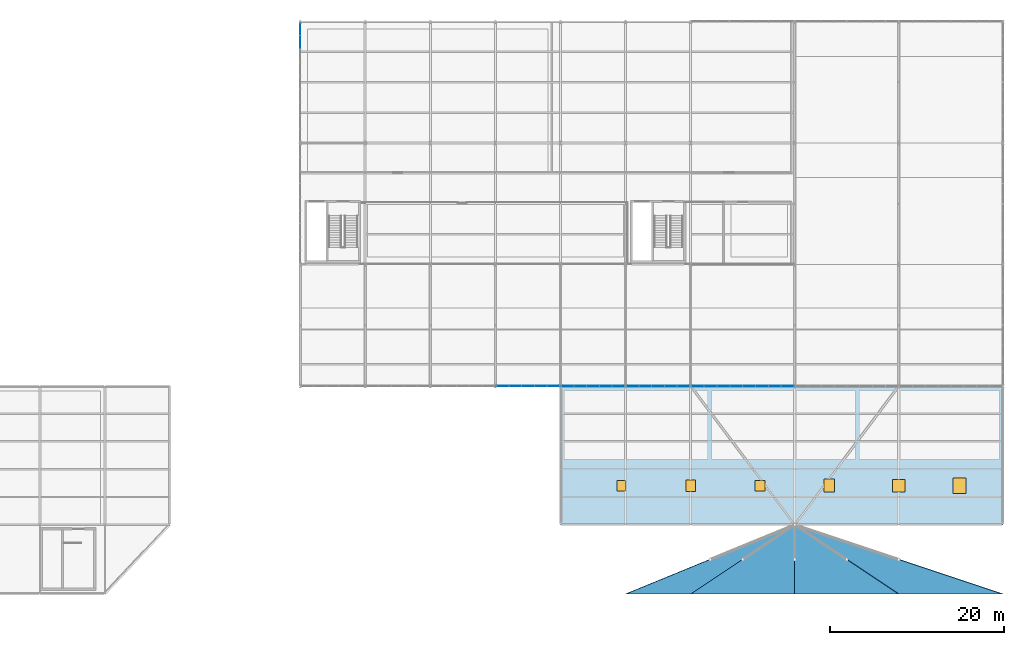
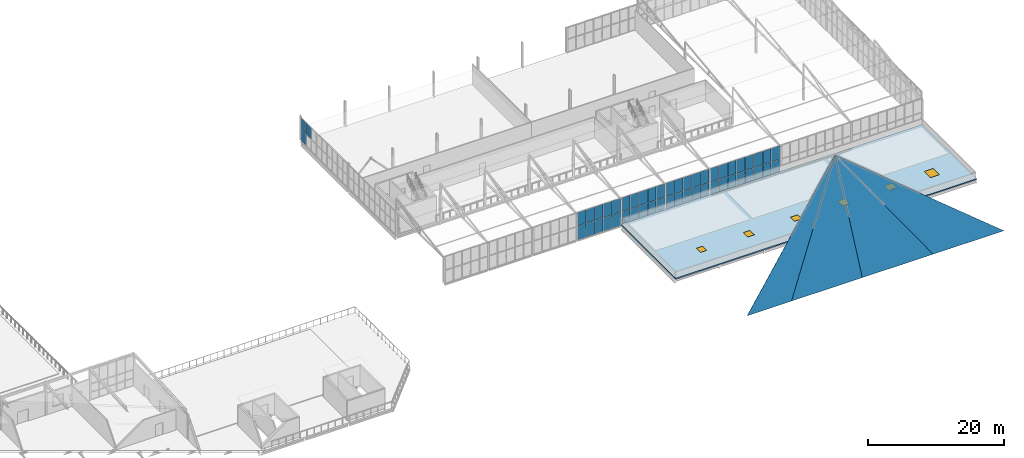
# One storey, part 88 of 104: 53 plates, 6 windows, 1 slab, 6 openings, 5 elements without a shape of their own.
"""IFC4 building model written with IfcOpenShell, lengths in metres."""

import ifcopenshell
import ifcopenshell.guid

model = None  # the IFC model being written
_history = None  # IfcOwnerHistory: only IFC2X3 demands one
_inside = {}  # id of a spatial element -> (the spatial element, [elements in it])
_under = {}  # id of a project, library or spatial element -> (it, [spatial elements below it])
_declared = {}  # id of a project -> (the project, [libraries it declares])
_typed = {}  # id of a type object -> (the type object, [elements of that type])
_made_of = {}  # id of a material, layer set ... -> (it, [elements and type objects made of it])


def new_model(schema):
    """Start an empty IFC model of exactly this schema.

    Asked for "IFC4X3", IfcOpenShell would pick the latest addendum, in which some entities
    have other attributes; the version numbers below select the first issue.
    IFC2X3 requires an IfcOwnerHistory on every rooted entity: one is made here for all.
    """
    global model, _history
    if schema == "IFC4X3":
        model = ifcopenshell.file(schema_version=(4, 3, 0, 0))
    else:
        model = ifcopenshell.file(schema=schema)
    _inside.clear()
    _under.clear()
    _declared.clear()
    _typed.clear()
    _made_of.clear()
    _history = None
    if model.schema == "IFC2X3":
        org = make("IfcOrganization", Name="unknown")
        user = make(
            "IfcPersonAndOrganization",
            ThePerson=make("IfcPerson", FamilyName="unknown"),
            TheOrganization=org,
        )
        app = make(
            "IfcApplication",
            ApplicationDeveloper=org,
            Version="unknown",
            ApplicationFullName="unknown",
            ApplicationIdentifier="unknown",
        )
        _history = make(
            "IfcOwnerHistory",
            OwningUser=user,
            OwningApplication=app,
            ChangeAction="ADDED",
            CreationDate=0,
        )
    return model


def make(cls, **values):
    """One entity of the class cls with the attributes given. An attribute that is None is left unset."""
    return model.create_entity(
        cls, **{name: value for name, value in values.items() if value is not None}
    )


def rooted(cls, **values):
    """An entity with a GlobalId (a new one), such as an element, a storey or a relation."""
    return make(cls, GlobalId=ifcopenshell.guid.new(), OwnerHistory=_history, **values)


def si_unit(unit_type, name, prefix=None):
    """IfcSIUnit, for example si_unit("LENGTHUNIT", "METRE", prefix="MILLI")."""
    return make("IfcSIUnit", UnitType=unit_type, Prefix=prefix, Name=name)


def assignment(units):
    """IfcUnitAssignment: the units of a project."""
    return None if units is None else make("IfcUnitAssignment", Units=units)


def point(xyz):
    """IfcCartesianPoint."""
    return None if xyz is None else make("IfcCartesianPoint", Coordinates=xyz)


def direction(xyz):
    """IfcDirection."""
    return None if xyz is None else make("IfcDirection", DirectionRatios=xyz)


def frame(location, z_axis=None, x_axis=None):
    """IfcAxis2Placement3D, a coordinate frame: its origin and axes. An axis left out is left unset."""
    return make(
        "IfcAxis2Placement3D",
        Location=point(location),
        Axis=direction(z_axis),
        RefDirection=direction(x_axis),
    )


def frame_2d(location, x_axis=None):
    """IfcAxis2Placement2D, a coordinate frame in the plane: its origin and x axis."""
    return make(
        "IfcAxis2Placement2D", Location=point(location), RefDirection=direction(x_axis)
    )


def origin():
    """The frame at (0, 0, 0) with its axes left unset."""
    return frame((0.0, 0.0, 0.0))


def origin_2d():
    """The frame at (0, 0) in the plane with its x axis left unset."""
    return frame_2d((0.0, 0.0))


def place(relative_to, where):
    """IfcLocalPlacement: puts the frame where relative to a parent placement (None: the world)."""
    return make(
        "IfcLocalPlacement", PlacementRelTo=relative_to, RelativePlacement=where
    )


def context(
    kind, dimensions, precision=None, world=None, true_north=None, identifier=None
):
    """IfcGeometricRepresentationContext, for example the 3D "Model" context."""
    return make(
        "IfcGeometricRepresentationContext",
        ContextIdentifier=identifier,
        ContextType=kind,
        CoordinateSpaceDimension=dimensions,
        Precision=precision,
        WorldCoordinateSystem=world,
        TrueNorth=true_north,
    )


def subcontext(parent, identifier, kind, view, scale=None):
    """IfcGeometricRepresentationSubContext, for example "Body" below "Model"."""
    return make(
        "IfcGeometricRepresentationSubContext",
        ContextIdentifier=identifier,
        ContextType=kind,
        ParentContext=parent,
        TargetScale=scale,
        TargetView=view,
    )


def project(units=None, contexts=None):
    """IfcProject with its units and contexts."""
    return rooted(
        "IfcProject",
        Name="project",
        RepresentationContexts=contexts,
        UnitsInContext=assignment(units),
    )


def spatial(cls, under=None, at=None, **own):
    """A site, building, storey or space (cls), placed at a placement, below another one or the project."""
    s = rooted(cls, ObjectPlacement=at, **own)
    if under is not None:
        _under.setdefault(under.id(), (under, []))[1].append(s)
    return s


def polyline(points):
    """IfcPolyline through the points."""
    return make("IfcPolyline", Points=[point(p) for p in points])


def profile(cls, at=None, kind="AREA", **sizes):
    """A parametric profile (cls). Its sizes go by their IFC names, for example OverallWidth=200.0."""
    return make(cls, ProfileType=kind, Position=at, **sizes)


def rectangle(**sizes):
    """IfcRectangleProfileDef."""
    return profile("IfcRectangleProfileDef", **sizes)


def outline(outer, holes=None, kind="AREA"):
    """IfcArbitraryClosedProfileDef: a profile drawn as a closed curve; with holes, ...WithVoids."""
    if holes is None:
        return make("IfcArbitraryClosedProfileDef", ProfileType=kind, OuterCurve=outer)
    return make(
        "IfcArbitraryProfileDefWithVoids",
        ProfileType=kind,
        OuterCurve=outer,
        InnerCurves=holes,
    )


def extrude(swept, where, along, depth):
    """IfcExtrudedAreaSolid: the profile swept, set in the frame where, extruded along a direction by depth."""
    return make(
        "IfcExtrudedAreaSolid",
        SweptArea=swept,
        Position=where,
        ExtrudedDirection=direction(along),
        Depth=depth,
    )


def shape(context_of_items, identifier, shape_type, items):
    """IfcShapeRepresentation: the items that make up one representation, for example the "Body"."""
    return make(
        "IfcShapeRepresentation",
        ContextOfItems=context_of_items,
        RepresentationIdentifier=identifier,
        RepresentationType=shape_type,
        Items=items,
    )


def material(Name=None, Category=None):
    """IfcMaterial."""
    return make("IfcMaterial", Name=Name, Category=Category)


def layer(
    of_material, thickness, ventilated=None, Name=None, Category=None, Priority=None
):
    """IfcMaterialLayer: one layer of a wall or slab, of a material (None: an air gap)."""
    return make(
        "IfcMaterialLayer",
        Material=of_material,
        LayerThickness=thickness,
        IsVentilated=ventilated,
        Name=Name,
        Category=Category,
        Priority=Priority,
    )


def layer_set(layers, Name=None):
    """IfcMaterialLayerSet."""
    return make("IfcMaterialLayerSet", MaterialLayers=layers, LayerSetName=Name)


def made_of(thing, what):
    """Note that an element or type object is made of a material, layer set ...; save() writes the relation."""
    if what is not None:
        _made_of.setdefault(what.id(), (what, []))[1].append(thing)
    return thing


def type_object(cls, material=None, **own):
    """A type object (cls), such as IfcWallType, which elements share."""
    return made_of(rooted(cls, **own), material)


def element(
    cls,
    number,
    at=None,
    inside=None,
    cuts=None,
    type_object=None,
    material=None,
    context=None,
    identifier="Body",
    shape_type=None,
    held_by="IfcProductDefinitionShape",
    body=None,
    shapes=None,
    **own,
):
    """One element of the class cls, such as IfcWall. Its Tag is "e" and its number.

    at: its placement. inside: the storey or other place that contains it. cuts: it is an
    opening in that element (IfcRelVoidsElement). A single representation is given by context,
    identifier, shape_type and body (its items); several are given by shapes. held_by: the class
    of the entity that holds the representations. save() writes the other relations.
    """
    e = rooted(cls, Tag="e%d" % number, ObjectPlacement=at, **own)
    if body is not None:
        shapes = [shape(context, identifier, shape_type, body)]
    if shapes is not None:
        e.Representation = make(held_by, Representations=shapes)
    if inside is not None:
        _inside.setdefault(inside.id(), (inside, []))[1].append(e)
    if cuts is not None:
        rooted(
            "IfcRelVoidsElement", RelatingBuildingElement=cuts, RelatedOpeningElement=e
        )
    if type_object is not None:
        _typed.setdefault(type_object.id(), (type_object, []))[1].append(e)
    return made_of(e, material)


def fill(opening, filler):
    """IfcRelFillsElement: the door or window that sits in an opening."""
    return rooted(
        "IfcRelFillsElement",
        RelatingOpeningElement=opening,
        RelatedBuildingElement=filler,
    )


def aggregate(whole, parts):
    """IfcRelAggregates: a whole, such as a stair, and the parts it consists of."""
    return rooted("IfcRelAggregates", RelatingObject=whole, RelatedObjects=parts)


def save(model, path):
    """Write the relations noted so far, then the file.

    IfcRelAggregates (storeys below a building ...), IfcRelContainedInSpatialStructure (elements
    in a storey), IfcRelDefinesByType, IfcRelAssociatesMaterial and IfcRelDeclares: one each for
    every whole, place, type object, material and project.
    """
    for whole, parts in _under.values():
        aggregate(whole, parts)
    for where, things in _inside.values():
        rooted(
            "IfcRelContainedInSpatialStructure",
            RelatedElements=things,
            RelatingStructure=where,
        )
    for kind, things in _typed.values():
        rooted("IfcRelDefinesByType", RelatedObjects=things, RelatingType=kind)
    for what, things in _made_of.values():
        rooted("IfcRelAssociatesMaterial", RelatedObjects=things, RelatingMaterial=what)
    for by, libraries in _declared.values():
        rooted("IfcRelDeclares", RelatingContext=by, RelatedDefinitions=libraries)
    model.write(path)


model = new_model("IFC4")

# Units and contexts
model_context = context("Model", 3, precision=1e-05, world=origin(), true_north=direction((0.0, 1.0)))
body_context = subcontext(model_context, "Body", "Model", "MODEL_VIEW")
ifc_project = project(units=[si_unit("LENGTHUNIT", "METRE"), si_unit("AREAUNIT", "SQUARE_METRE"), si_unit("VOLUMEUNIT", "CUBIC_METRE"), si_unit("PLANEANGLEUNIT", "RADIAN"), si_unit("MASSUNIT", "GRAM", prefix="KILO")], contexts=[model_context])

# Site, building, storey
site_placement = place(None, origin())
site = spatial("IfcSite", under=ifc_project, at=site_placement, CompositionType="ELEMENT")
building_placement = place(site_placement, origin())
building = spatial("IfcBuilding", under=site, at=building_placement, Name="Solvenia Promenade Tram Depot", CompositionType="ELEMENT")
storey_placement = place(building_placement, frame((0.0, 0.0, 9.0)))
storey = spatial("IfcBuildingStorey", under=building, at=storey_placement, Name="L02", CompositionType="ELEMENT", Elevation=9.0)

# Curtain wall, plates
ifc_material_1 = material(Name="Anodized aluminium AW-6063 T6", Category="aluminium")
ifc_layer_1 = layer(ifc_material_1, 0.080078125, Name="Anodized aluminium AW-6063 T6", Category="aluminium")
ifc_layer_set_1 = layer_set([ifc_layer_1], Name="Anodized aluminium AW-6063 T6")
curtain_wall_type_1 = type_object("IfcCurtainWallType", Name="CW-Clerest-1500", PredefinedType="NOTDEFINED", material=ifc_layer_set_1)
curtain_wall_1_placement = place(storey_placement, origin())
curtain_wall_1 = element("IfcCurtainWall", 1, at=curtain_wall_1_placement, inside=storey, type_object=curtain_wall_type_1, Name="Curtain Wall CW-V2S-L2-04", PredefinedType="NOTDEFINED")
ifc_material_2 = material(Name="Double low-e argon insulated glass", Category="glass")
ifc_layer_2 = layer(ifc_material_2, 0.031982421875, Name="Double low-e argon insulated glass", Category="glass")
ifc_layer_set_2 = layer_set([ifc_layer_2], Name="Double low-e argon insulated glass")
plate_type_1 = type_object("IfcPlateType", Name="CWP-Panel-2", PredefinedType="CURTAIN_PANEL", material=ifc_layer_set_2)
plate_1_placement = place(storey_placement, frame((128.32763671875, 24.0, -0.244873046875), z_axis=(0.0, 0.0, 1.0), x_axis=(1.0, 0.0, 0.0)))
plate_1 = element("IfcPlate", 2, at=plate_1_placement, type_object=plate_type_1, Name="CW-4 panel 1.1", PredefinedType="CURTAIN_PANEL", context=body_context, shape_type="SweptSolid", body=[
    extrude(rectangle(XDim=1.385498046875, YDim=0.031982421875, at=origin_2d()), origin(), (0.0, 0.0, 1.0), 2.41748046875),
])
plate_2_placement = place(storey_placement, frame((128.32763671875, 24.0, 2.2275390625), z_axis=(0.0, 0.0, 1.0), x_axis=(1.0, 0.0, 0.0)))
plate_2 = element("IfcPlate", 3, at=plate_2_placement, type_object=plate_type_1, Name="CW-4 panel 1.2", PredefinedType="CURTAIN_PANEL", context=body_context, shape_type="SweptSolid", body=[
    extrude(rectangle(XDim=1.385498046875, YDim=0.031982421875, at=origin_2d()), origin(), (0.0, 0.0, 1.0), 2.41748046875),
])
plate_3_placement = place(storey_placement, frame((129.781982421875, 24.0, -0.244873046875), z_axis=(0.0, 0.0, 1.0), x_axis=(1.0, 0.0, 0.0)))
plate_3 = element("IfcPlate", 4, at=plate_3_placement, type_object=plate_type_1, Name="CW-4 panel 2.1", PredefinedType="CURTAIN_PANEL", context=body_context, shape_type="SweptSolid", body=[
    extrude(rectangle(XDim=1.4130859375, YDim=0.031982421875, at=origin_2d()), origin(), (0.0, 0.0, 1.0), 2.41748046875),
])
plate_4_placement = place(storey_placement, frame((129.781982421875, 24.0, 2.2275390625), z_axis=(0.0, 0.0, 1.0), x_axis=(1.0, 0.0, 0.0)))
plate_4 = element("IfcPlate", 5, at=plate_4_placement, type_object=plate_type_1, Name="CW-4 panel 2.2", PredefinedType="CURTAIN_PANEL", context=body_context, shape_type="SweptSolid", body=[
    extrude(rectangle(XDim=1.4130859375, YDim=0.031982421875, at=origin_2d()), origin(), (0.0, 0.0, 1.0), 2.41748046875),
])
plate_5_placement = place(storey_placement, frame((131.25, 24.0, -0.244873046875), z_axis=(0.0, 0.0, 1.0), x_axis=(1.0, 0.0, 0.0)))
plate_5 = element("IfcPlate", 6, at=plate_5_placement, type_object=plate_type_1, Name="CW-4 panel 3.1", PredefinedType="CURTAIN_PANEL", context=body_context, shape_type="SweptSolid", body=[
    extrude(rectangle(XDim=1.4130859375, YDim=0.031982421875, at=origin_2d()), origin(), (0.0, 0.0, 1.0), 2.41748046875),
])
plate_6_placement = place(storey_placement, frame((131.25, 24.0, 2.2275390625), z_axis=(0.0, 0.0, 1.0), x_axis=(1.0, 0.0, 0.0)))
plate_6 = element("IfcPlate", 7, at=plate_6_placement, type_object=plate_type_1, Name="CW-4 panel 3.2", PredefinedType="CURTAIN_PANEL", context=body_context, shape_type="SweptSolid", body=[
    extrude(rectangle(XDim=1.4130859375, YDim=0.031982421875, at=origin_2d()), origin(), (0.0, 0.0, 1.0), 2.41748046875),
])
plate_7_placement = place(storey_placement, frame((132.718017578125, 24.0, -0.244873046875), z_axis=(0.0, 0.0, 1.0), x_axis=(1.0, 0.0, 0.0)))
plate_7 = element("IfcPlate", 8, at=plate_7_placement, type_object=plate_type_1, Name="CW-4 panel 4.1", PredefinedType="CURTAIN_PANEL", context=body_context, shape_type="SweptSolid", body=[
    extrude(rectangle(XDim=1.4130859375, YDim=0.031982421875, at=origin_2d()), origin(), (0.0, 0.0, 1.0), 2.41748046875),
])
plate_8_placement = place(storey_placement, frame((132.718017578125, 24.0, 2.2275390625), z_axis=(0.0, 0.0, 1.0), x_axis=(1.0, 0.0, 0.0)))
plate_8 = element("IfcPlate", 9, at=plate_8_placement, type_object=plate_type_1, Name="CW-4 panel 4.2", PredefinedType="CURTAIN_PANEL", context=body_context, shape_type="SweptSolid", body=[
    extrude(rectangle(XDim=1.4130859375, YDim=0.031982421875, at=origin_2d()), origin(), (0.0, 0.0, 1.0), 2.41748046875),
])
plate_9_placement = place(storey_placement, frame((134.17236328125, 24.0, -0.244873046875), z_axis=(0.0, 0.0, 1.0), x_axis=(1.0, 0.0, 0.0)))
plate_9 = element("IfcPlate", 10, at=plate_9_placement, type_object=plate_type_1, Name="CW-4 panel 5.1", PredefinedType="CURTAIN_PANEL", context=body_context, shape_type="SweptSolid", body=[
    extrude(rectangle(XDim=1.385498046875, YDim=0.031982421875, at=origin_2d()), origin(), (0.0, 0.0, 1.0), 2.41748046875),
])
plate_10_placement = place(storey_placement, frame((134.17236328125, 24.0, 2.2275390625), z_axis=(0.0, 0.0, 1.0), x_axis=(1.0, 0.0, 0.0)))
plate_10 = element("IfcPlate", 11, at=plate_10_placement, type_object=plate_type_1, Name="CW-4 panel 5.2", PredefinedType="CURTAIN_PANEL", context=body_context, shape_type="SweptSolid", body=[
    extrude(rectangle(XDim=1.385498046875, YDim=0.031982421875, at=origin_2d()), origin(), (0.0, 0.0, 1.0), 2.41748046875),
])
aggregate(curtain_wall_1, [plate_1, plate_2, plate_3, plate_4, plate_5, plate_6, plate_7, plate_8, plate_9, plate_10])

curtain_wall_2_placement = place(storey_placement, origin())
curtain_wall_2 = element("IfcCurtainWall", 12, at=curtain_wall_2_placement, inside=storey, type_object=curtain_wall_type_1, Name="Curtain Wall CW-V2S-L2-05", PredefinedType="NOTDEFINED")
plate_11_placement = place(storey_placement, frame((135.82763671875, 24.0, -0.244873046875), z_axis=(0.0, 0.0, 1.0), x_axis=(1.0, 0.0, 0.0)))
plate_11 = element("IfcPlate", 13, at=plate_11_placement, type_object=plate_type_1, Name="CW-4 panel 1.1", PredefinedType="CURTAIN_PANEL", context=body_context, shape_type="SweptSolid", body=[
    extrude(rectangle(XDim=1.385498046875, YDim=0.031982421875, at=origin_2d()), origin(), (0.0, 0.0, 1.0), 2.41748046875),
])
plate_12_placement = place(storey_placement, frame((135.82763671875, 24.0, 2.2275390625), z_axis=(0.0, 0.0, 1.0), x_axis=(1.0, 0.0, 0.0)))
plate_12 = element("IfcPlate", 14, at=plate_12_placement, type_object=plate_type_1, Name="CW-4 panel 1.2", PredefinedType="CURTAIN_PANEL", context=body_context, shape_type="SweptSolid", body=[
    extrude(rectangle(XDim=1.385498046875, YDim=0.031982421875, at=origin_2d()), origin(), (0.0, 0.0, 1.0), 2.41748046875),
])
plate_13_placement = place(storey_placement, frame((137.281982421875, 24.0, -0.244873046875), z_axis=(0.0, 0.0, 1.0), x_axis=(1.0, 0.0, 0.0)))
plate_13 = element("IfcPlate", 15, at=plate_13_placement, type_object=plate_type_1, Name="CW-4 panel 2.1", PredefinedType="CURTAIN_PANEL", context=body_context, shape_type="SweptSolid", body=[
    extrude(rectangle(XDim=1.4130859375, YDim=0.031982421875, at=origin_2d()), origin(), (0.0, 0.0, 1.0), 2.41748046875),
])
plate_14_placement = place(storey_placement, frame((137.281982421875, 24.0, 2.2275390625), z_axis=(0.0, 0.0, 1.0), x_axis=(1.0, 0.0, 0.0)))
plate_14 = element("IfcPlate", 16, at=plate_14_placement, type_object=plate_type_1, Name="CW-4 panel 2.2", PredefinedType="CURTAIN_PANEL", context=body_context, shape_type="SweptSolid", body=[
    extrude(rectangle(XDim=1.4130859375, YDim=0.031982421875, at=origin_2d()), origin(), (0.0, 0.0, 1.0), 2.41748046875),
])
plate_15_placement = place(storey_placement, frame((138.75, 24.0, -0.244873046875), z_axis=(0.0, 0.0, 1.0), x_axis=(1.0, 0.0, 0.0)))
plate_15 = element("IfcPlate", 17, at=plate_15_placement, type_object=plate_type_1, Name="CW-4 panel 3.1", PredefinedType="CURTAIN_PANEL", context=body_context, shape_type="SweptSolid", body=[
    extrude(rectangle(XDim=1.4130859375, YDim=0.031982421875, at=origin_2d()), origin(), (0.0, 0.0, 1.0), 2.41748046875),
])
plate_16_placement = place(storey_placement, frame((138.75, 24.0, 2.2275390625), z_axis=(0.0, 0.0, 1.0), x_axis=(1.0, 0.0, 0.0)))
plate_16 = element("IfcPlate", 18, at=plate_16_placement, type_object=plate_type_1, Name="CW-4 panel 3.2", PredefinedType="CURTAIN_PANEL", context=body_context, shape_type="SweptSolid", body=[
    extrude(rectangle(XDim=1.4130859375, YDim=0.031982421875, at=origin_2d()), origin(), (0.0, 0.0, 1.0), 2.41748046875),
])
plate_17_placement = place(storey_placement, frame((140.218017578125, 24.0, -0.244873046875), z_axis=(0.0, 0.0, 1.0), x_axis=(1.0, 0.0, 0.0)))
plate_17 = element("IfcPlate", 19, at=plate_17_placement, type_object=plate_type_1, Name="CW-4 panel 4.1", PredefinedType="CURTAIN_PANEL", context=body_context, shape_type="SweptSolid", body=[
    extrude(rectangle(XDim=1.4130859375, YDim=0.031982421875, at=origin_2d()), origin(), (0.0, 0.0, 1.0), 2.41748046875),
])
plate_18_placement = place(storey_placement, frame((140.218017578125, 24.0, 2.2275390625), z_axis=(0.0, 0.0, 1.0), x_axis=(1.0, 0.0, 0.0)))
plate_18 = element("IfcPlate", 20, at=plate_18_placement, type_object=plate_type_1, Name="CW-4 panel 4.2", PredefinedType="CURTAIN_PANEL", context=body_context, shape_type="SweptSolid", body=[
    extrude(rectangle(XDim=1.4130859375, YDim=0.031982421875, at=origin_2d()), origin(), (0.0, 0.0, 1.0), 2.41748046875),
])
plate_19_placement = place(storey_placement, frame((141.67236328125, 24.0, -0.244873046875), z_axis=(0.0, 0.0, 1.0), x_axis=(1.0, 0.0, 0.0)))
plate_19 = element("IfcPlate", 21, at=plate_19_placement, type_object=plate_type_1, Name="CW-4 panel 5.1", PredefinedType="CURTAIN_PANEL", context=body_context, shape_type="SweptSolid", body=[
    extrude(rectangle(XDim=1.385498046875, YDim=0.031982421875, at=origin_2d()), origin(), (0.0, 0.0, 1.0), 2.41748046875),
])
plate_20_placement = place(storey_placement, frame((141.67236328125, 24.0, 2.2275390625), z_axis=(0.0, 0.0, 1.0), x_axis=(1.0, 0.0, 0.0)))
plate_20 = element("IfcPlate", 22, at=plate_20_placement, type_object=plate_type_1, Name="CW-4 panel 5.2", PredefinedType="CURTAIN_PANEL", context=body_context, shape_type="SweptSolid", body=[
    extrude(rectangle(XDim=1.385498046875, YDim=0.031982421875, at=origin_2d()), origin(), (0.0, 0.0, 1.0), 2.41748046875),
])
aggregate(curtain_wall_2, [plate_11, plate_12, plate_13, plate_14, plate_15, plate_16, plate_17, plate_18, plate_19, plate_20])

curtain_wall_3_placement = place(storey_placement, origin())
curtain_wall_3 = element("IfcCurtainWall", 23, at=curtain_wall_3_placement, inside=storey, type_object=curtain_wall_type_1, Name="Curtain Wall CW-V2S-L2-06", PredefinedType="NOTDEFINED")
plate_21_placement = place(storey_placement, frame((143.32763671875, 24.0, -0.244873046875), z_axis=(0.0, 0.0, 1.0), x_axis=(1.0, 0.0, 0.0)))
plate_21 = element("IfcPlate", 24, at=plate_21_placement, type_object=plate_type_1, Name="CW-4 panel 1.1", PredefinedType="CURTAIN_PANEL", context=body_context, shape_type="SweptSolid", body=[
    extrude(rectangle(XDim=1.385498046875, YDim=0.031982421875, at=origin_2d()), origin(), (0.0, 0.0, 1.0), 2.41748046875),
])
plate_22_placement = place(storey_placement, frame((143.32763671875, 24.0, 2.2275390625), z_axis=(0.0, 0.0, 1.0), x_axis=(1.0, 0.0, 0.0)))
plate_22 = element("IfcPlate", 25, at=plate_22_placement, type_object=plate_type_1, Name="CW-4 panel 1.2", PredefinedType="CURTAIN_PANEL", context=body_context, shape_type="SweptSolid", body=[
    extrude(rectangle(XDim=1.385498046875, YDim=0.031982421875, at=origin_2d()), origin(), (0.0, 0.0, 1.0), 2.41748046875),
])
plate_23_placement = place(storey_placement, frame((144.781982421875, 24.0, -0.244873046875), z_axis=(0.0, 0.0, 1.0), x_axis=(1.0, 0.0, 0.0)))
plate_23 = element("IfcPlate", 26, at=plate_23_placement, type_object=plate_type_1, Name="CW-4 panel 2.1", PredefinedType="CURTAIN_PANEL", context=body_context, shape_type="SweptSolid", body=[
    extrude(rectangle(XDim=1.4130859375, YDim=0.031982421875, at=origin_2d()), origin(), (0.0, 0.0, 1.0), 2.41748046875),
])
plate_24_placement = place(storey_placement, frame((144.781982421875, 24.0, 2.2275390625), z_axis=(0.0, 0.0, 1.0), x_axis=(1.0, 0.0, 0.0)))
plate_24 = element("IfcPlate", 27, at=plate_24_placement, type_object=plate_type_1, Name="CW-4 panel 2.2", PredefinedType="CURTAIN_PANEL", context=body_context, shape_type="SweptSolid", body=[
    extrude(rectangle(XDim=1.4130859375, YDim=0.031982421875, at=origin_2d()), origin(), (0.0, 0.0, 1.0), 2.41748046875),
])
plate_25_placement = place(storey_placement, frame((146.25, 24.0, -0.244873046875), z_axis=(0.0, 0.0, 1.0), x_axis=(1.0, 0.0, 0.0)))
plate_25 = element("IfcPlate", 28, at=plate_25_placement, type_object=plate_type_1, Name="CW-4 panel 3.1", PredefinedType="CURTAIN_PANEL", context=body_context, shape_type="SweptSolid", body=[
    extrude(rectangle(XDim=1.4130859375, YDim=0.031982421875, at=origin_2d()), origin(), (0.0, 0.0, 1.0), 2.41748046875),
])
plate_26_placement = place(storey_placement, frame((146.25, 24.0, 2.2275390625), z_axis=(0.0, 0.0, 1.0), x_axis=(1.0, 0.0, 0.0)))
plate_26 = element("IfcPlate", 29, at=plate_26_placement, type_object=plate_type_1, Name="CW-4 panel 3.2", PredefinedType="CURTAIN_PANEL", context=body_context, shape_type="SweptSolid", body=[
    extrude(rectangle(XDim=1.4130859375, YDim=0.031982421875, at=origin_2d()), origin(), (0.0, 0.0, 1.0), 2.41748046875),
])
plate_27_placement = place(storey_placement, frame((147.718017578125, 24.0, -0.244873046875), z_axis=(0.0, 0.0, 1.0), x_axis=(1.0, 0.0, 0.0)))
plate_27 = element("IfcPlate", 30, at=plate_27_placement, type_object=plate_type_1, Name="CW-4 panel 4.1", PredefinedType="CURTAIN_PANEL", context=body_context, shape_type="SweptSolid", body=[
    extrude(rectangle(XDim=1.4130859375, YDim=0.031982421875, at=origin_2d()), origin(), (0.0, 0.0, 1.0), 2.41748046875),
])
plate_28_placement = place(storey_placement, frame((147.718017578125, 24.0, 2.2275390625), z_axis=(0.0, 0.0, 1.0), x_axis=(1.0, 0.0, 0.0)))
plate_28 = element("IfcPlate", 31, at=plate_28_placement, type_object=plate_type_1, Name="CW-4 panel 4.2", PredefinedType="CURTAIN_PANEL", context=body_context, shape_type="SweptSolid", body=[
    extrude(rectangle(XDim=1.4130859375, YDim=0.031982421875, at=origin_2d()), origin(), (0.0, 0.0, 1.0), 2.41748046875),
])
plate_29_placement = place(storey_placement, frame((149.17236328125, 24.0, -0.244873046875), z_axis=(0.0, 0.0, 1.0), x_axis=(1.0, 0.0, 0.0)))
plate_29 = element("IfcPlate", 32, at=plate_29_placement, type_object=plate_type_1, Name="CW-4 panel 5.1", PredefinedType="CURTAIN_PANEL", context=body_context, shape_type="SweptSolid", body=[
    extrude(rectangle(XDim=1.385498046875, YDim=0.031982421875, at=origin_2d()), origin(), (0.0, 0.0, 1.0), 2.41748046875),
])
plate_30_placement = place(storey_placement, frame((149.17236328125, 24.0, 2.2275390625), z_axis=(0.0, 0.0, 1.0), x_axis=(1.0, 0.0, 0.0)))
plate_30 = element("IfcPlate", 33, at=plate_30_placement, type_object=plate_type_1, Name="CW-4 panel 5.2", PredefinedType="CURTAIN_PANEL", context=body_context, shape_type="SweptSolid", body=[
    extrude(rectangle(XDim=1.385498046875, YDim=0.031982421875, at=origin_2d()), origin(), (0.0, 0.0, 1.0), 2.41748046875),
])
aggregate(curtain_wall_3, [plate_21, plate_22, plate_23, plate_24, plate_25, plate_26, plate_27, plate_28, plate_29, plate_30])

curtain_wall_4_placement = place(storey_placement, origin())
curtain_wall_4 = element("IfcCurtainWall", 34, at=curtain_wall_4_placement, inside=storey, type_object=curtain_wall_type_1, Name="Curtain Wall CW-V2S-L2-07", PredefinedType="NOTDEFINED")
plate_31_placement = place(storey_placement, frame((150.833740234375, 24.0, -0.244873046875), z_axis=(0.0, 0.0, 1.0), x_axis=(1.0, 0.0, 0.0)))
plate_31 = element("IfcPlate", 35, at=plate_31_placement, type_object=plate_type_1, Name="CW-4 panel 1.1", PredefinedType="CURTAIN_PANEL", context=body_context, shape_type="SweptSolid", body=[
    extrude(rectangle(XDim=1.3974609375, YDim=0.031982421875, at=origin_2d()), origin(), (0.0, 0.0, 1.0), 2.41748046875),
])
plate_32_placement = place(storey_placement, frame((150.833740234375, 24.0, 2.2275390625), z_axis=(0.0, 0.0, 1.0), x_axis=(1.0, 0.0, 0.0)))
plate_32 = element("IfcPlate", 36, at=plate_32_placement, type_object=plate_type_1, Name="CW-4 panel 1.2", PredefinedType="CURTAIN_PANEL", context=body_context, shape_type="SweptSolid", body=[
    extrude(rectangle(XDim=1.3974609375, YDim=0.031982421875, at=origin_2d()), origin(), (0.0, 0.0, 1.0), 2.41748046875),
])
plate_33_placement = place(storey_placement, frame((152.300048828125, 24.0, -0.244873046875), z_axis=(0.0, 0.0, 1.0), x_axis=(1.0, 0.0, 0.0)))
plate_33 = element("IfcPlate", 37, at=plate_33_placement, type_object=plate_type_1, Name="CW-4 panel 2.1", PredefinedType="CURTAIN_PANEL", context=body_context, shape_type="SweptSolid", body=[
    extrude(rectangle(XDim=1.425048828125, YDim=0.031982421875, at=origin_2d()), origin(), (0.0, 0.0, 1.0), 2.41748046875),
])
plate_34_placement = place(storey_placement, frame((152.300048828125, 24.0, 2.2275390625), z_axis=(0.0, 0.0, 1.0), x_axis=(1.0, 0.0, 0.0)))
plate_34 = element("IfcPlate", 38, at=plate_34_placement, type_object=plate_type_1, Name="CW-4 panel 2.2", PredefinedType="CURTAIN_PANEL", context=body_context, shape_type="SweptSolid", body=[
    extrude(rectangle(XDim=1.425048828125, YDim=0.031982421875, at=origin_2d()), origin(), (0.0, 0.0, 1.0), 2.41748046875),
])
plate_35_placement = place(storey_placement, frame((153.780029296875, 24.0, -0.244873046875), z_axis=(0.0, 0.0, 1.0), x_axis=(1.0, 0.0, 0.0)))
plate_35 = element("IfcPlate", 39, at=plate_35_placement, type_object=plate_type_1, Name="CW-4 panel 3.1", PredefinedType="CURTAIN_PANEL", context=body_context, shape_type="SweptSolid", body=[
    extrude(rectangle(XDim=1.425048828125, YDim=0.031982421875, at=origin_2d()), origin(), (0.0, 0.0, 1.0), 2.41748046875),
])
plate_36_placement = place(storey_placement, frame((153.780029296875, 24.0, 2.2275390625), z_axis=(0.0, 0.0, 1.0), x_axis=(1.0, 0.0, 0.0)))
plate_36 = element("IfcPlate", 40, at=plate_36_placement, type_object=plate_type_1, Name="CW-4 panel 3.2", PredefinedType="CURTAIN_PANEL", context=body_context, shape_type="SweptSolid", body=[
    extrude(rectangle(XDim=1.425048828125, YDim=0.031982421875, at=origin_2d()), origin(), (0.0, 0.0, 1.0), 2.41748046875),
])
plate_37_placement = place(storey_placement, frame((155.260009765625, 24.0, -0.244873046875), z_axis=(0.0, 0.0, 1.0), x_axis=(1.0, 0.0, 0.0)))
plate_37 = element("IfcPlate", 41, at=plate_37_placement, type_object=plate_type_1, Name="CW-4 panel 4.1", PredefinedType="CURTAIN_PANEL", context=body_context, shape_type="SweptSolid", body=[
    extrude(rectangle(XDim=1.425048828125, YDim=0.031982421875, at=origin_2d()), origin(), (0.0, 0.0, 1.0), 2.41748046875),
])
plate_38_placement = place(storey_placement, frame((155.260009765625, 24.0, 2.2275390625), z_axis=(0.0, 0.0, 1.0), x_axis=(1.0, 0.0, 0.0)))
plate_38 = element("IfcPlate", 42, at=plate_38_placement, type_object=plate_type_1, Name="CW-4 panel 4.2", PredefinedType="CURTAIN_PANEL", context=body_context, shape_type="SweptSolid", body=[
    extrude(rectangle(XDim=1.425048828125, YDim=0.031982421875, at=origin_2d()), origin(), (0.0, 0.0, 1.0), 2.41748046875),
])
plate_39_placement = place(storey_placement, frame((156.739990234375, 24.0, -0.244873046875), z_axis=(0.0, 0.0, 1.0), x_axis=(1.0, 0.0, 0.0)))
plate_39 = element("IfcPlate", 43, at=plate_39_placement, type_object=plate_type_1, Name="CW-4 panel 5.1", PredefinedType="CURTAIN_PANEL", context=body_context, shape_type="SweptSolid", body=[
    extrude(rectangle(XDim=1.425048828125, YDim=0.031982421875, at=origin_2d()), origin(), (0.0, 0.0, 1.0), 2.41748046875),
])
plate_40_placement = place(storey_placement, frame((156.739990234375, 24.0, 2.2275390625), z_axis=(0.0, 0.0, 1.0), x_axis=(1.0, 0.0, 0.0)))
plate_40 = element("IfcPlate", 44, at=plate_40_placement, type_object=plate_type_1, Name="CW-4 panel 5.2", PredefinedType="CURTAIN_PANEL", context=body_context, shape_type="SweptSolid", body=[
    extrude(rectangle(XDim=1.425048828125, YDim=0.031982421875, at=origin_2d()), origin(), (0.0, 0.0, 1.0), 2.41748046875),
])
plate_41_placement = place(storey_placement, frame((158.219970703125, 24.0, -0.244873046875), z_axis=(0.0, 0.0, 1.0), x_axis=(1.0, 0.0, 0.0)))
plate_41 = element("IfcPlate", 45, at=plate_41_placement, type_object=plate_type_1, Name="CW-4 panel 6.1", PredefinedType="CURTAIN_PANEL", context=body_context, shape_type="SweptSolid", body=[
    extrude(rectangle(XDim=1.425048828125, YDim=0.031982421875, at=origin_2d()), origin(), (0.0, 0.0, 1.0), 2.41748046875),
])
plate_42_placement = place(storey_placement, frame((158.219970703125, 24.0, 2.2275390625), z_axis=(0.0, 0.0, 1.0), x_axis=(1.0, 0.0, 0.0)))
plate_42 = element("IfcPlate", 46, at=plate_42_placement, type_object=plate_type_1, Name="CW-4 panel 6.2", PredefinedType="CURTAIN_PANEL", context=body_context, shape_type="SweptSolid", body=[
    extrude(rectangle(XDim=1.425048828125, YDim=0.031982421875, at=origin_2d()), origin(), (0.0, 0.0, 1.0), 2.41748046875),
])
plate_43_placement = place(storey_placement, frame((159.699951171875, 24.0, -0.244873046875), z_axis=(0.0, 0.0, 1.0), x_axis=(1.0, 0.0, 0.0)))
plate_43 = element("IfcPlate", 47, at=plate_43_placement, type_object=plate_type_1, Name="CW-4 panel 7.1", PredefinedType="CURTAIN_PANEL", context=body_context, shape_type="SweptSolid", body=[
    extrude(rectangle(XDim=1.425048828125, YDim=0.031982421875, at=origin_2d()), origin(), (0.0, 0.0, 1.0), 2.41748046875),
])
plate_44_placement = place(storey_placement, frame((159.699951171875, 24.0, 2.2275390625), z_axis=(0.0, 0.0, 1.0), x_axis=(1.0, 0.0, 0.0)))
plate_44 = element("IfcPlate", 48, at=plate_44_placement, type_object=plate_type_1, Name="CW-4 panel 7.2", PredefinedType="CURTAIN_PANEL", context=body_context, shape_type="SweptSolid", body=[
    extrude(rectangle(XDim=1.425048828125, YDim=0.031982421875, at=origin_2d()), origin(), (0.0, 0.0, 1.0), 2.41748046875),
])
plate_45_placement = place(storey_placement, frame((161.166259765625, 24.0, -0.244873046875), z_axis=(0.0, 0.0, 1.0), x_axis=(1.0, 0.0, 0.0)))
plate_45 = element("IfcPlate", 49, at=plate_45_placement, type_object=plate_type_1, Name="CW-4 panel 8.1", PredefinedType="CURTAIN_PANEL", context=body_context, shape_type="SweptSolid", body=[
    extrude(rectangle(XDim=1.3974609375, YDim=0.031982421875, at=origin_2d()), origin(), (0.0, 0.0, 1.0), 2.41748046875),
])
plate_46_placement = place(storey_placement, frame((161.166259765625, 24.0, 2.2275390625), z_axis=(0.0, 0.0, 1.0), x_axis=(1.0, 0.0, 0.0)))
plate_46 = element("IfcPlate", 50, at=plate_46_placement, type_object=plate_type_1, Name="CW-4 panel 8.2", PredefinedType="CURTAIN_PANEL", context=body_context, shape_type="SweptSolid", body=[
    extrude(rectangle(XDim=1.3974609375, YDim=0.031982421875, at=origin_2d()), origin(), (0.0, 0.0, 1.0), 2.41748046875),
])
aggregate(curtain_wall_4, [plate_31, plate_32, plate_33, plate_34, plate_35, plate_36, plate_37, plate_38, plate_39, plate_40, plate_41, plate_42, plate_43, plate_44, plate_45, plate_46])

ifc_layer_3 = layer(ifc_material_1, 0.14990234375, Name="Anodized aluminium AW-6063 T6", Category="aluminium")
ifc_layer_set_3 = layer_set([ifc_layer_3], Name="Anodized aluminium AW-6063 T6")
curtain_wall_type_2 = type_object("IfcCurtainWallType", Name="CW-Court-1500", PredefinedType="NOTDEFINED", material=ifc_layer_set_3)
curtain_wall_5_placement = place(storey_placement, origin())
curtain_wall_5 = element("IfcCurtainWall", 51, at=curtain_wall_5_placement, inside=storey, type_object=curtain_wall_type_2, Name="Curtain Wall CW-V2W-L2-2", PredefinedType="NOTDEFINED")
plate_47_placement = place(storey_placement, frame((105.0, 63.61328125, 2.132568359375), z_axis=(0.0, 0.0, 1.0), x_axis=(0.0, 1.0, 0.0)))
plate_47 = element("IfcPlate", 52, at=plate_47_placement, type_object=plate_type_1, Name="CW-5 panel 8.2", PredefinedType="CURTAIN_PANEL", context=body_context, shape_type="SweptSolid", body=[
    extrude(rectangle(XDim=1.48779296875, YDim=0.031982421875, at=origin_2d()), origin(), (0.0, 0.0, 1.0), 2.00244140625),
])
plate_48_placement = place(storey_placement, frame((105.0, 65.138671875, 0.06494140625), z_axis=(0.0, 0.0, 1.0), x_axis=(0.0, 1.0, 0.0)))
plate_48 = element("IfcPlate", 53, at=plate_48_placement, type_object=plate_type_1, Name="CW-5 panel 9.1", PredefinedType="CURTAIN_PANEL", context=body_context, shape_type="SweptSolid", body=[
    extrude(rectangle(XDim=1.462890625, YDim=0.031982421875, at=origin_2d()), origin(), (0.0, 0.0, 1.0), 2.00244140625),
])
plate_49_placement = place(storey_placement, frame((105.0, 65.138671875, 2.132568359375), z_axis=(0.0, 0.0, 1.0), x_axis=(0.0, 1.0, 0.0)))
plate_49 = element("IfcPlate", 54, at=plate_49_placement, type_object=plate_type_1, Name="CW-5 panel 9.2", PredefinedType="CURTAIN_PANEL", context=body_context, shape_type="SweptSolid", body=[
    extrude(rectangle(XDim=1.462890625, YDim=0.031982421875, at=origin_2d()), origin(), (0.0, 0.0, 1.0), 2.00244140625),
])
aggregate(curtain_wall_5, [plate_47, plate_48, plate_49])

# Plates
ifc_material_3 = material(Name="Translucent multi-wall insulated polycarbonate cassette", Category="other")
ifc_layer_4 = layer(ifc_material_3, 0.048095703125, Name="Translucent multi-wall insulated polycarbonate cassette", Category="other")
ifc_layer_set_4 = layer_set([ifc_layer_4], Name="Translucent multi-wall insulated polycarbonate cassette")
plate_type_2 = type_object("IfcPlateType", Name="DaylightCassette-2", PredefinedType="SHEET", material=ifc_layer_set_4)
plate_50_placement = place(storey_placement, frame((142.5, 0.0, -4.5), z_axis=(0.0, -0.905777681431, 0.423753220427), x_axis=(1.0, 0.0, 0.0)))
element("IfcPlate", 55, at=plate_50_placement, inside=storey, type_object=plate_type_2, Name="Promenade Entrance Leaning Triangular Insulated Daylight Sail Facet 1", PredefinedType="SHEET", context=body_context, shape_type="SweptSolid", body=[
    extrude(outline(polyline([(0.0, 0.0), (7.5, 0.0), (19.5, 18.878912570730517), (0.0, 0.0)])), origin(), (0.0, 0.0, -1.0), 0.048095703125),
])
plate_51_placement = place(storey_placement, frame((150.0, 0.0, -4.5), z_axis=(0.0, -0.905777681431, 0.423753220427), x_axis=(1.0, 0.0, 0.0)))
element("IfcPlate", 56, at=plate_51_placement, inside=storey, type_object=plate_type_2, Name="Promenade Entrance Leaning Triangular Insulated Daylight Sail Facet 2", PredefinedType="SHEET", context=body_context, shape_type="SweptSolid", body=[
    extrude(outline(polyline([(0.0, 0.0), (12.0, 0.0), (12.0, 18.878912570730517), (0.0, 0.0)])), origin(), (0.0, 0.0, -1.0), 0.048095703125),
])
plate_52_placement = place(storey_placement, frame((162.0, 0.0, -4.5), z_axis=(0.0, -0.905777681431, 0.423753220427), x_axis=(1.0, 0.0, 0.0)))
element("IfcPlate", 57, at=plate_52_placement, inside=storey, type_object=plate_type_2, Name="Promenade Entrance Leaning Triangular Insulated Daylight Sail Facet 3", PredefinedType="SHEET", context=body_context, shape_type="SweptSolid", body=[
    extrude(outline(polyline([(0.0, 0.0), (12.0, 0.0), (0.0, 18.878912570730517), (0.0, 0.0)])), origin(), (0.0, 0.0, -1.0), 0.048095703125),
])
plate_53_placement = place(storey_placement, frame((174.0, 0.0, -4.5), z_axis=(0.0, -0.905777681431, 0.423753220427), x_axis=(1.0, 0.0, 0.0)))
element("IfcPlate", 58, at=plate_53_placement, inside=storey, type_object=plate_type_2, Name="Promenade Entrance Leaning Triangular Insulated Daylight Sail Facet 4", PredefinedType="SHEET", context=body_context, shape_type="SweptSolid", body=[
    extrude(outline(polyline([(0.0, 0.0), (12.0, 0.0), (-12.0, 18.878912570730517), (0.0, 0.0)])), origin(), (0.0, 0.0, -1.0), 0.048095703125),
])

# Slab, openings, windows
ifc_material_4 = material(Name="Concrete C28/35", Category="concrete")
ifc_layer_5 = layer(ifc_material_4, 0.219970703125, Name="Concrete C28/35", Category="concrete")
ifc_layer_set_5 = layer_set([ifc_layer_5], Name="Concrete C28/35")
slab_type = type_object("IfcSlabType", Name="Slab-Roof-220", PredefinedType="ROOF", material=ifc_layer_set_5)
slab_placement = place(storey_placement, frame((0.0, 0.0, -0.219970703125)))
slab = element("IfcSlab", 59, at=slab_placement, inside=storey, type_object=slab_type, Name="Promenade Wing Main Roof", PredefinedType="ROOF", context=body_context, shape_type="SweptSolid", body=[
    extrude(outline(polyline([(135.0, 8.0), (186.0, 8.0), (186.0, 24.0), (135.0, 24.0), (135.0, 8.0)])), origin(), (0.0, 0.0, 1.0), 0.219970703125),
])
opening_1_placement = place(slab_placement, frame((142.0, 12.5, 0.0)))
opening_1 = element("IfcOpeningElement", 60, at=opening_1_placement, cuts=slab, Name="Opening RH-01", PredefinedType="OPENING", context=body_context, shape_type="SweptSolid", body=[
    extrude(rectangle(XDim=1.0, YDim=1.199951171875, at=origin_2d()), frame((0.0, 0.0, -0.010009765625)), (0.0, 0.0, 1.0), 0.239990234375),
])
opening_2_placement = place(slab_placement, frame((150.0, 12.5, 0.0)))
opening_2 = element("IfcOpeningElement", 61, at=opening_2_placement, cuts=slab, Name="Opening RH-02", PredefinedType="OPENING", context=body_context, shape_type="SweptSolid", body=[
    extrude(rectangle(XDim=1.10009765625, YDim=1.300048828125, at=origin_2d()), frame((0.0, 0.0, -0.010009765625)), (0.0, 0.0, 1.0), 0.239990234375),
])
opening_3_placement = place(slab_placement, frame((158.0, 12.5, 0.0)))
opening_3 = element("IfcOpeningElement", 62, at=opening_3_placement, cuts=slab, Name="Opening RH-03", PredefinedType="OPENING", context=body_context, shape_type="SweptSolid", body=[
    extrude(rectangle(XDim=1.199951171875, YDim=1.199951171875, at=origin_2d()), frame((0.0, 0.0, -0.010009765625)), (0.0, 0.0, 1.0), 0.239990234375),
])
opening_4_placement = place(slab_placement, frame((166.0, 12.5, 0.0)))
opening_4 = element("IfcOpeningElement", 63, at=opening_4_placement, cuts=slab, Name="Opening RH-04", PredefinedType="OPENING", context=body_context, shape_type="SweptSolid", body=[
    extrude(rectangle(XDim=1.199951171875, YDim=1.5, at=origin_2d()), frame((0.0, 0.0, -0.010009765625)), (0.0, 0.0, 1.0), 0.239990234375),
])
opening_5_placement = place(slab_placement, frame((174.0, 12.5, 0.0)))
opening_5 = element("IfcOpeningElement", 64, at=opening_5_placement, cuts=slab, Name="Opening RH-05", PredefinedType="OPENING", context=body_context, shape_type="SweptSolid", body=[
    extrude(rectangle(XDim=1.39990234375, YDim=1.39990234375, at=origin_2d()), frame((0.0, 0.0, -0.010009765625)), (0.0, 0.0, 1.0), 0.239990234375),
])
opening_6_placement = place(slab_placement, frame((181.0, 12.5, 0.0)))
opening_6 = element("IfcOpeningElement", 65, at=opening_6_placement, cuts=slab, Name="Opening RH-06", PredefinedType="OPENING", context=body_context, shape_type="SweptSolid", body=[
    extrude(rectangle(XDim=1.5, YDim=1.800048828125, at=origin_2d()), frame((0.0, 0.0, -0.010009765625)), (0.0, 0.0, 1.0), 0.239990234375),
])
window_type_1 = type_object("IfcWindowType", Name="Hatch-1000x1200", PartitioningType="SINGLE_PANEL", PredefinedType="SKYLIGHT", material=ifc_material_1)
window_1_placement = place(opening_1_placement, frame((0.0, 0.0, 0.169921875)))
window_1 = element("IfcWindow", 66, at=window_1_placement, inside=storey, type_object=window_type_1, Name="ROOF ACCESS HATCH RH-01", OverallHeight=1.199951171875, OverallWidth=1.0, PartitioningType="SINGLE_PANEL", PredefinedType="SKYLIGHT", context=body_context, shape_type="SweptSolid", body=[
    extrude(rectangle(XDim=1.0, YDim=1.199951171875, at=origin_2d()), origin(), (0.0, 0.0, 1.0), 0.050048828125),
])
fill(opening_1, window_1)
window_type_2 = type_object("IfcWindowType", Name="Hatch-1100x1300", PartitioningType="SINGLE_PANEL", PredefinedType="SKYLIGHT", material=ifc_material_1)
window_2_placement = place(opening_2_placement, frame((0.0, 0.0, 0.169921875)))
window_2 = element("IfcWindow", 67, at=window_2_placement, inside=storey, type_object=window_type_2, Name="ROOF ACCESS HATCH RH-02", OverallHeight=1.300048828125, OverallWidth=1.10009765625, PartitioningType="SINGLE_PANEL", PredefinedType="SKYLIGHT", context=body_context, shape_type="SweptSolid", body=[
    extrude(rectangle(XDim=1.10009765625, YDim=1.300048828125, at=origin_2d()), origin(), (0.0, 0.0, 1.0), 0.050048828125),
])
fill(opening_2, window_2)
window_type_3 = type_object("IfcWindowType", Name="Hatch-1200x1200", PartitioningType="SINGLE_PANEL", PredefinedType="SKYLIGHT", material=ifc_material_1)
window_3_placement = place(opening_3_placement, frame((0.0, 0.0, 0.169921875)))
window_3 = element("IfcWindow", 68, at=window_3_placement, inside=storey, type_object=window_type_3, Name="ROOF ACCESS HATCH RH-03", OverallHeight=1.199951171875, OverallWidth=1.199951171875, PartitioningType="SINGLE_PANEL", PredefinedType="SKYLIGHT", context=body_context, shape_type="SweptSolid", body=[
    extrude(rectangle(XDim=1.199951171875, YDim=1.199951171875, at=origin_2d()), origin(), (0.0, 0.0, 1.0), 0.050048828125),
])
fill(opening_3, window_3)
window_type_4 = type_object("IfcWindowType", Name="Hatch-1200x1500", PartitioningType="SINGLE_PANEL", PredefinedType="SKYLIGHT", material=ifc_material_1)
window_4_placement = place(opening_4_placement, frame((0.0, 0.0, 0.169921875)))
window_4 = element("IfcWindow", 69, at=window_4_placement, inside=storey, type_object=window_type_4, Name="ROOF ACCESS HATCH RH-04", OverallHeight=1.5, OverallWidth=1.199951171875, PartitioningType="SINGLE_PANEL", PredefinedType="SKYLIGHT", context=body_context, shape_type="SweptSolid", body=[
    extrude(rectangle(XDim=1.199951171875, YDim=1.5, at=origin_2d()), origin(), (0.0, 0.0, 1.0), 0.050048828125),
])
fill(opening_4, window_4)
window_type_5 = type_object("IfcWindowType", Name="Hatch-1400x1400", PartitioningType="SINGLE_PANEL", PredefinedType="SKYLIGHT", material=ifc_material_1)
window_5_placement = place(opening_5_placement, frame((0.0, 0.0, 0.169921875)))
window_5 = element("IfcWindow", 70, at=window_5_placement, inside=storey, type_object=window_type_5, Name="ROOF ACCESS HATCH RH-05", OverallHeight=1.39990234375, OverallWidth=1.39990234375, PartitioningType="SINGLE_PANEL", PredefinedType="SKYLIGHT", context=body_context, shape_type="SweptSolid", body=[
    extrude(rectangle(XDim=1.39990234375, YDim=1.39990234375, at=origin_2d()), origin(), (0.0, 0.0, 1.0), 0.050048828125),
])
fill(opening_5, window_5)
window_type_6 = type_object("IfcWindowType", Name="Hatch-1500x1800", PartitioningType="SINGLE_PANEL", PredefinedType="SKYLIGHT", material=ifc_material_1)
window_6_placement = place(opening_6_placement, frame((0.0, 0.0, 0.169921875)))
window_6 = element("IfcWindow", 71, at=window_6_placement, inside=storey, type_object=window_type_6, Name="ROOF ACCESS HATCH RH-06", OverallHeight=1.800048828125, OverallWidth=1.5, PartitioningType="SINGLE_PANEL", PredefinedType="SKYLIGHT", context=body_context, shape_type="SweptSolid", body=[
    extrude(rectangle(XDim=1.5, YDim=1.800048828125, at=origin_2d()), origin(), (0.0, 0.0, 1.0), 0.050048828125),
])
fill(opening_6, window_6)

save(model, "model.ifc")
